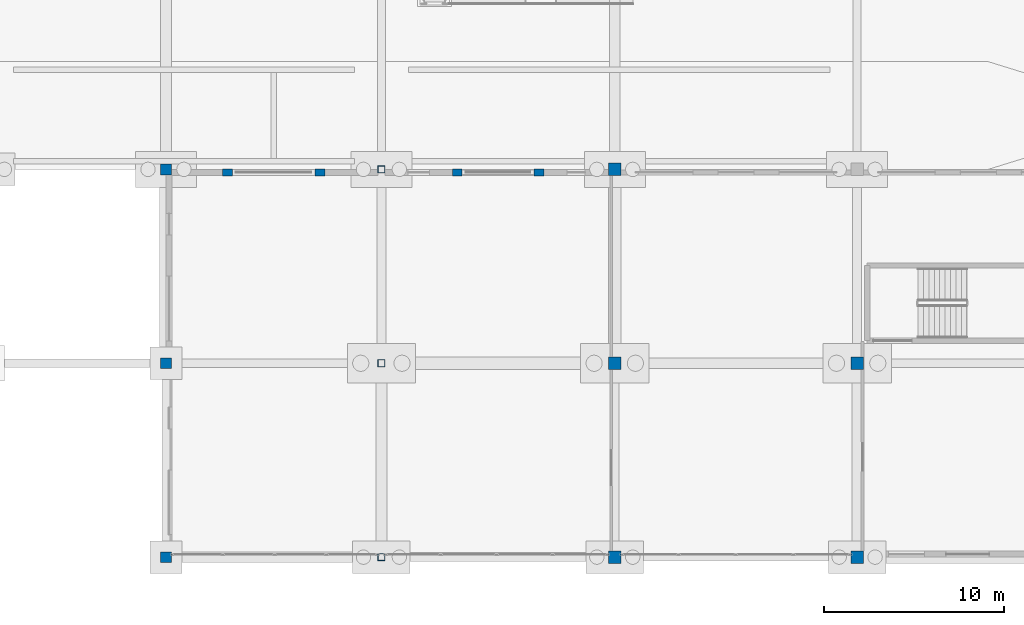
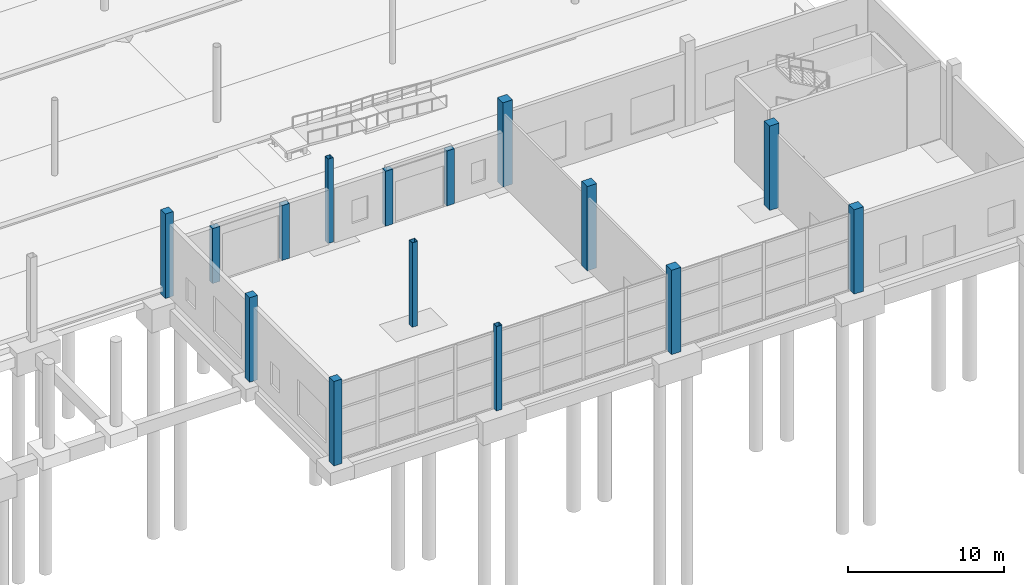
# One storey, part 25 of 115: 15 columns.
"""IFC4 building model written with IfcOpenShell, lengths in metres."""

from ifc_helpers import new_model, si_unit, direction, frame, origin, origin_2d, place, context, subcontext, project, spatial, rectangle, hollow_rectangle, extrude, material, material_profile, profile_set, type_object, element, save


model = new_model("IFC4")

# Units and contexts
model_context = context("Model", 3, precision=1e-05, world=origin(), true_north=direction((0.0, 1.0)))
body_context = subcontext(model_context, "Body", "Model", "MODEL_VIEW")
ifc_project = project(units=[si_unit("LENGTHUNIT", "METRE"), si_unit("AREAUNIT", "SQUARE_METRE"), si_unit("VOLUMEUNIT", "CUBIC_METRE"), si_unit("PLANEANGLEUNIT", "RADIAN"), si_unit("MASSUNIT", "GRAM", prefix="KILO")], contexts=[model_context])

# Site, building, storey
site_placement = place(None, origin())
site = spatial("IfcSite", under=ifc_project, at=site_placement, CompositionType="ELEMENT")
building_placement = place(site_placement, origin())
building = spatial("IfcBuilding", under=site, at=building_placement, Name="Tamarisk Ironworks Central Station", CompositionType="ELEMENT")
storey_placement = place(building_placement, origin())
storey = spatial("IfcBuildingStorey", under=building, at=storey_placement, Name="L00", CompositionType="ELEMENT", Elevation=0.0)

# Columns
ifc_material_1 = material(Name="Clay facing brickwork and mortar", Category="masonry")
ifc_material_profile_1 = material_profile(ifc_material_1, rectangle(XDim=0.550048828125, YDim=0.39990234375, at=origin_2d()), Name="PIL 550x400")
ifc_profile_set_1 = profile_set([ifc_material_profile_1], Name="Clay facing brickwork and mortar")
column_type_1 = type_object("IfcColumnType", Name="COL-PIL02", PredefinedType="PILASTER", material=ifc_profile_set_1)
for number, where, z_axis, x_axis, name in (
    (1, (131.425048828125, 21.429931640625, 0.0), (0.0, 0.0, 1.0), (1.0, 0.0, 0.0), "Roller shutter portal jamb pilaster 009"),
    (2, (136.574951171875, 21.429931640625, 0.0), (0.0, 0.0, 1.0), (1.0, 0.0, 0.0), "Roller shutter portal jamb pilaster 010"),
    (3, (144.22509765625, 21.429931640625, 0.0), (0.0, 0.0, 1.0), (1.0, 0.0, 0.0), "Roller shutter portal jamb pilaster 011"),
    (4, (148.77490234375, 21.429931640625, 0.0), (0.0, 0.0, 1.0), (1.0, 0.0, 0.0), "Roller shutter portal jamb pilaster 012"),
):
    element("IfcColumn", number, at=place(storey_placement, frame(where, z_axis=z_axis, x_axis=x_axis)), inside=storey, type_object=column_type_1, Name=name, PredefinedType="PILASTER", context=body_context, shape_type="SweptSolid", body=[
        extrude(rectangle(XDim=0.550048828125, YDim=0.39990234375, at=origin_2d()), origin(), (0.0, 0.0, 1.0), 4.300048828125),
    ])
ifc_material_2 = material(Name="Concrete C50/60", Category="concrete")
ifc_material_profile_2 = material_profile(ifc_material_2, rectangle(XDim=0.699951171875, YDim=0.699951171875, at=origin_2d()), Name="RC 700x700")
ifc_profile_set_2 = profile_set([ifc_material_profile_2], Name="Concrete C50/60")
column_type_2 = type_object("IfcColumnType", Name="COL-RC02", PredefinedType="COLUMN", material=ifc_profile_set_2)
for number, where, z_axis, x_axis, name in (
    (5, (153.0, 0.0, 0.0), (0.0, 0.0, 1.0), (1.0, 0.0, 0.0), "L00 column V5S-18A"),
    (6, (153.0, 10.800048828125, 0.0), (0.0, 0.0, 1.0), (1.0, 0.0, 0.0), "L00 column V5S-18B"),
    (7, (153.0, 21.60009765625, 0.0), (0.0, 0.0, 1.0), (1.0, 0.0, 0.0), "L00 column V5S-18C"),
    (8, (166.5, 0.0, 0.0), (0.0, 0.0, 1.0), (1.0, 0.0, 0.0), "L00 column V5S-19A"),
    (9, (166.5, 10.800048828125, 0.0), (0.0, 0.0, 1.0), (1.0, 0.0, 0.0), "L00 column V5S-19B"),
):
    element("IfcColumn", number, at=place(storey_placement, frame(where, z_axis=z_axis, x_axis=x_axis)), inside=storey, type_object=column_type_2, Name=name, PredefinedType="COLUMN", context=body_context, shape_type="SweptSolid", body=[
        extrude(rectangle(XDim=0.699951171875, YDim=0.699951171875, at=origin_2d()), origin(), (0.0, 0.0, 1.0), 6.60009765625),
    ])
ifc_material_profile_3 = material_profile(ifc_material_2, rectangle(XDim=0.60009765625, YDim=0.60009765625, at=origin_2d()), Name="RC 600x600")
ifc_profile_set_3 = profile_set([ifc_material_profile_3], Name="Concrete C50/60")
column_type_3 = type_object("IfcColumnType", Name="COL-RC03", PredefinedType="COLUMN", material=ifc_profile_set_3)
for number, where, z_axis, x_axis, name in (
    (10, (128.0, 0.0, 0.0), (0.0, 0.0, 1.0), (1.0, 0.0, 0.0), "L00 column V5S-16A"),
    (11, (128.0, 10.800048828125, 0.0), (0.0, 0.0, 1.0), (1.0, 0.0, 0.0), "L00 column V5S-16B"),
    (12, (128.0, 21.60009765625, 0.0), (0.0, 0.0, 1.0), (1.0, 0.0, 0.0), "L00 column V5S-16C"),
):
    element("IfcColumn", number, at=place(storey_placement, frame(where, z_axis=z_axis, x_axis=x_axis)), inside=storey, type_object=column_type_3, Name=name, PredefinedType="COLUMN", context=body_context, shape_type="SweptSolid", body=[
        extrude(rectangle(XDim=0.60009765625, YDim=0.60009765625, at=origin_2d()), origin(), (0.0, 0.0, 1.0), 6.60009765625),
    ])
ifc_material_3 = material(Name="Structural steel S355J2H", Category="steel")
ifc_material_profile_4 = material_profile(ifc_material_3, hollow_rectangle(XDim=0.39990234375, YDim=0.39990234375, WallThickness=0.01611328125, at=origin_2d()), Name="SHS 400x400x16")
ifc_profile_set_4 = profile_set([ifc_material_profile_4], Name="Structural steel S355J2H")
column_type_4 = type_object("IfcColumnType", Name="COL-S14", PredefinedType="COLUMN", material=ifc_profile_set_4)
for number, where, z_axis, x_axis, name in (
    (13, (140.0, 0.0, 0.0), (0.0, 0.0, 1.0), (1.0, 0.0, 0.0), "L00 column V5S-17A"),
    (14, (140.0, 10.800048828125, 0.0), (0.0, 0.0, 1.0), (1.0, 0.0, 0.0), "L00 column V5S-17B"),
    (15, (140.0, 21.60009765625, 0.0), (0.0, 0.0, 1.0), (1.0, 0.0, 0.0), "L00 column V5S-17C"),
):
    element("IfcColumn", number, at=place(storey_placement, frame(where, z_axis=z_axis, x_axis=x_axis)), inside=storey, type_object=column_type_4, Name=name, PredefinedType="COLUMN", context=body_context, shape_type="SweptSolid", body=[
        extrude(hollow_rectangle(XDim=0.39990234375, YDim=0.39990234375, WallThickness=0.01611328125, at=origin_2d()), origin(), (0.0, 0.0, 1.0), 6.60009765625),
    ])

save(model, "model.ifc")
